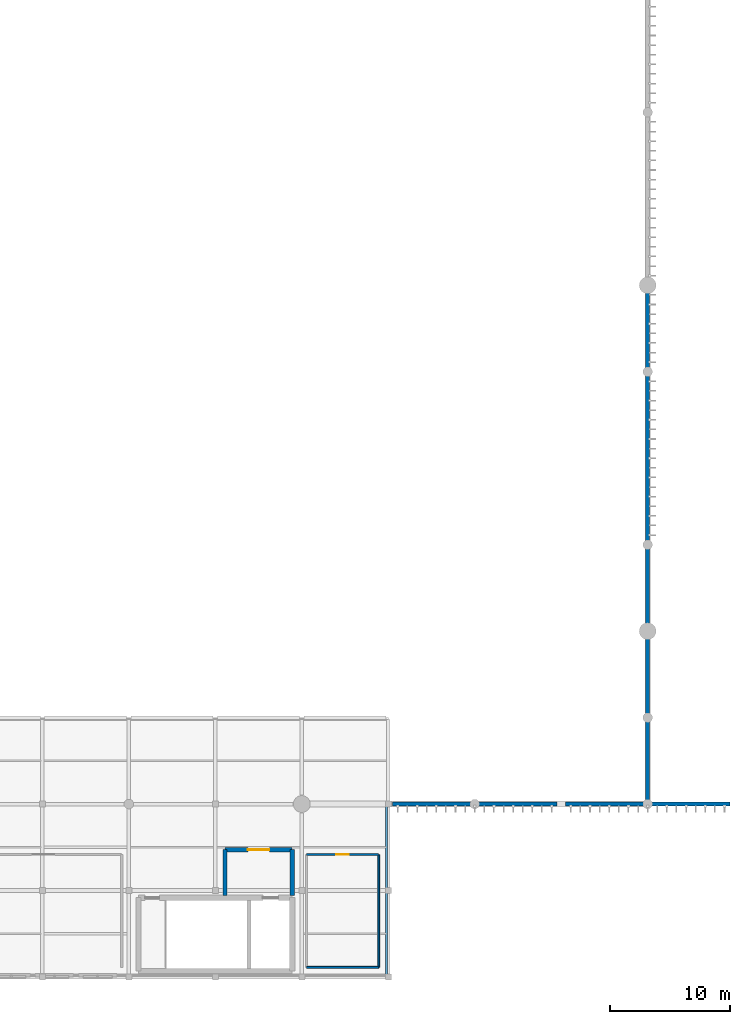
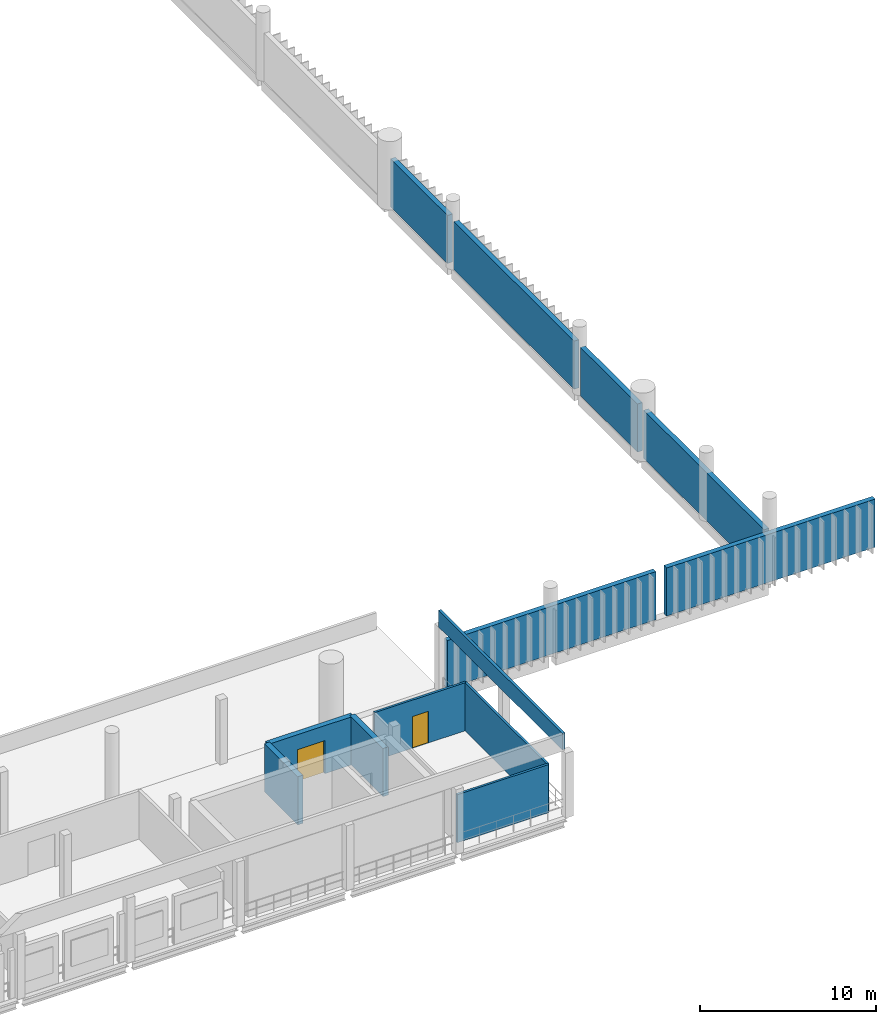
# One storey, part 45 of 64: 13 walls, 2 doors, 2 openings.
"""IFC4 building model written with IfcOpenShell, lengths in metres."""

from ifc_helpers import new_model, si_unit, direction, frame, frame_2d, origin, place, context, subcontext, project, spatial, rectangle, extrude, material, layer, layer_set, type_object, element, fill, save


model = new_model("IFC4")

# Units and contexts
model_context = context("Model", 3, precision=1e-05, world=origin(), true_north=direction((0.0, 1.0)))
body_context = subcontext(model_context, "Body", "Model", "MODEL_VIEW")
ifc_project = project(units=[si_unit("LENGTHUNIT", "METRE"), si_unit("AREAUNIT", "SQUARE_METRE"), si_unit("VOLUMEUNIT", "CUBIC_METRE"), si_unit("PLANEANGLEUNIT", "RADIAN"), si_unit("MASSUNIT", "GRAM", prefix="KILO")], contexts=[model_context])

# Site, building, storey
site_placement = place(None, origin())
site = spatial("IfcSite", under=ifc_project, at=site_placement, CompositionType="ELEMENT")
building_placement = place(site_placement, origin())
building = spatial("IfcBuilding", under=site, at=building_placement, Name="Qandorah Velis Arena", CompositionType="ELEMENT")
storey_placement = place(building_placement, frame((0.0, 0.0, 23.0)))
storey = spatial("IfcBuildingStorey", under=building, at=storey_placement, Name="L05", CompositionType="ELEMENT", Elevation=23.0)

# Walls
ifc_material_1 = material(Name="Precast concrete C40/50", Category="concrete")
ifc_layer_1 = layer(ifc_material_1, 0.320068359375)
ifc_layer_set_1 = layer_set([ifc_layer_1], Name="Precast concrete C40/50")
wall_type_1 = type_object("IfcWallType", Name="ARC-WAL-BOWL320", PredefinedType="SOLIDWALL", material=ifc_layer_set_1)
wall_1_placement = place(storey_placement, frame((115.199951171875, 14.75, 0.0), z_axis=(0.0, 0.0, 1.0), x_axis=(0.0, 1.0, 0.0)))
element("IfcWall", 1, at=wall_1_placement, inside=storey, type_object=wall_type_1, Name="Arena bowl acoustic drum wall 2.1 (L05)", PredefinedType="SOLIDWALL", context=body_context, shape_type="SweptSolid", body=[
    extrude(rectangle(XDim=13.699951171875, YDim=0.320068359375, at=frame_2d((6.85009765625, 0.0))), origin(), (0.0, 0.0, 1.0), 3.340087890625),
])
wall_2_placement = place(storey_placement, frame((115.199951171875, 29.14990234375, 0.0), z_axis=(0.0, 0.0, 1.0), x_axis=(0.0, 1.0, 0.0)))
element("IfcWall", 2, at=wall_2_placement, inside=storey, type_object=wall_type_1, Name="Arena bowl acoustic drum wall 2.2 (L05)", PredefinedType="SOLIDWALL", context=body_context, shape_type="SweptSolid", body=[
    extrude(rectangle(XDim=6.5, YDim=0.320068359375, at=frame_2d((3.25, 0.0))), origin(), (0.0, 0.0, 1.0), 3.340087890625),
])
wall_3_placement = place(storey_placement, frame((115.199951171875, 36.35009765625, 0.0), z_axis=(0.0, 0.0, 1.0), x_axis=(0.0, 1.0, 0.0)))
element("IfcWall", 3, at=wall_3_placement, inside=storey, type_object=wall_type_1, Name="Arena bowl acoustic drum wall 2.3 (L05)", PredefinedType="SOLIDWALL", context=body_context, shape_type="SweptSolid", body=[
    extrude(rectangle(XDim=13.699951171875, YDim=0.320068359375, at=frame_2d((6.85009765625, 0.0))), origin(), (0.0, 0.0, 1.0), 3.340087890625),
])
wall_4_placement = place(storey_placement, frame((115.199951171875, 50.75, 0.0), z_axis=(0.0, 0.0, 1.0), x_axis=(0.0, 1.0, 0.0)))
element("IfcWall", 4, at=wall_4_placement, inside=storey, type_object=wall_type_1, Name="Arena bowl acoustic drum wall 2.4 (L05)", PredefinedType="SOLIDWALL", context=body_context, shape_type="SweptSolid", body=[
    extrude(rectangle(XDim=6.5, YDim=0.320068359375, at=frame_2d((3.25, 0.0))), origin(), (0.0, 0.0, 1.0), 3.340087890625),
])
for number, where, z_axis, x_axis, name in (
    (5, (93.949951171875, 14.39990234375, 0.0), (0.0, 0.0, 1.0), (1.0, 0.0, 0.0), "Arena bowl acoustic drum wall 3.1 (L05)"),
    (6, (108.35009765625, 14.39990234375, 0.0), (0.0, 0.0, 1.0), (1.0, 0.0, 0.0), "Arena bowl acoustic drum wall 3.2 (L05)"),
):
    element("IfcWall", number, at=place(storey_placement, frame(where, z_axis=z_axis, x_axis=x_axis)), inside=storey, type_object=wall_type_1, Name=name, PredefinedType="SOLIDWALL", context=body_context, shape_type="SweptSolid", body=[
        extrude(rectangle(XDim=13.699951171875, YDim=0.320068359375, at=frame_2d((6.85009765625, 0.0))), origin(), (0.0, 0.0, 1.0), 3.340087890625),
    ])
ifc_layer_2 = layer(ifc_material_1, 0.179931640625)
ifc_layer_set_2 = layer_set([ifc_layer_2], Name="Precast concrete C40/50")
wall_type_2 = type_object("IfcWallType", Name="ARC-WAL-PAR180", PredefinedType="PARAPET", material=ifc_layer_set_2)
wall_5_placement = place(storey_placement, frame((93.449951171875, 0.14990234375, 4.5), z_axis=(0.0, 0.0, 1.0), x_axis=(0.0, 1.0, 0.0)))
element("IfcWall", 7, at=wall_5_placement, inside=storey, type_object=wall_type_2, Name="Roof perimeter parapet wall PW-04", PredefinedType="PARAPET", context=body_context, shape_type="SweptSolid", body=[
    extrude(rectangle(XDim=14.10009765625, YDim=0.179931640625, at=frame_2d((7.050048828125, 0.0))), origin(), (0.0, 0.0, 1.0), 1.14990234375),
])
ifc_material_2 = material(Name="Concrete C35/45", Category="concrete")
ifc_layer_3 = layer(ifc_material_2, 0.14990234375)
ifc_layer_set_3 = layer_set([ifc_layer_3], Name="Concrete C35/45")
wall_type_3 = type_object("IfcWallType", Name="ARC-WAL-PART150", PredefinedType="PARTITIONING", material=ifc_layer_set_3)
wall_6_placement = place(storey_placement, frame((86.800048828125, 0.800048828125, 0.0), z_axis=(0.0, 0.0, 1.0), x_axis=(1.0, 0.0, 0.0)))
element("IfcWall", 8, at=wall_6_placement, inside=storey, type_object=wall_type_3, Name="Interior partition L05-L05-AWC (S)", PredefinedType="PARTITIONING", context=body_context, shape_type="SweptSolid", body=[
    extrude(rectangle(XDim=6.0, YDim=0.14990234375, at=frame_2d((3.0, 0.0))), origin(), (0.0, 0.0, 1.0), 3.340087890625),
])
wall_7_placement = place(storey_placement, frame((92.800048828125, 0.800048828125, 0.0), z_axis=(0.0, 0.0, 1.0), x_axis=(0.0, 1.0, 0.0)))
element("IfcWall", 9, at=wall_7_placement, inside=storey, type_object=wall_type_3, Name="Interior partition L05-L05-AWC (E)", PredefinedType="PARTITIONING", context=body_context, shape_type="SweptSolid", body=[
    extrude(rectangle(XDim=9.39990234375, YDim=0.14990234375, at=frame_2d((4.699951171875, 0.0))), origin(), (0.0, 0.0, 1.0), 3.340087890625),
])

# Wall, opening, door
wall_8_placement = place(storey_placement, frame((92.800048828125, 10.199951171875, 0.0), z_axis=(0.0, 0.0, 1.0), x_axis=(-1.0, 0.0, 0.0)))
wall_8 = element("IfcWall", 10, at=wall_8_placement, inside=storey, type_object=wall_type_3, Name="Interior partition L05-L05-AWC (N)", PredefinedType="PARTITIONING", context=body_context, shape_type="SweptSolid", body=[
    extrude(rectangle(XDim=6.0, YDim=0.14990234375, at=frame_2d((3.0, 0.0))), origin(), (0.0, 0.0, 1.0), 3.340087890625),
])
opening_1_placement = place(wall_8_placement, frame((2.47509765625, 0.0, 0.0)))
opening_1 = element("IfcOpeningElement", 11, at=opening_1_placement, cuts=wall_8, Name="Opening D6", PredefinedType="OPENING", context=body_context, shape_type="SweptSolid", body=[
    extrude(rectangle(XDim=1.050048828125, YDim=2.199951171875, at=frame_2d((0.52490234375, 1.10009765625))), frame((0.0, 0.0849609375, 0.0), z_axis=(0.0, -1.0, 0.0), x_axis=(1.0, 0.0, 0.0)), (0.0, 0.0, 1.0), 0.169921875),
])
ifc_material_3 = material(Name="Accessible wide-leaf lever-handle door")
door_type_1 = type_object("IfcDoorType", Name="ARC-DR-ACC1050", OperationType="NOTDEFINED", PredefinedType="DOOR", material=ifc_material_3)
door_1_placement = place(opening_1_placement, origin())
door_1 = element("IfcDoor", 12, at=door_1_placement, inside=storey, type_object=door_type_1, Name="Door L05-L05-AWC", OperationType="SINGLE_SWING_LEFT", OverallHeight=2.199951171875, OverallWidth=1.050048828125, PredefinedType="DOOR", context=body_context, shape_type="SweptSolid", body=[
    extrude(rectangle(XDim=1.050048828125, YDim=2.199951171875, at=frame_2d((0.52490234375, 1.10009765625))), frame((0.0, 0.02490234375, 0.0), z_axis=(0.0, -1.0, 0.0), x_axis=(1.0, 0.0, 0.0)), (0.0, 0.0, 1.0), 0.050048828125),
])
fill(opening_1, door_1)

# Wall
ifc_material_4 = material(Name="Concrete C40/50", Category="concrete")
ifc_layer_4 = layer(ifc_material_4, 0.35009765625)
ifc_layer_set_4 = layer_set([ifc_layer_4], Name="Concrete C40/50")
wall_type_4 = type_object("IfcWallType", Name="STR-WAL-SH350", PredefinedType="SHEAR", material=ifc_layer_set_4)
wall_9_placement = place(storey_placement, frame((85.60009765625, 6.800048828125, 0.0), z_axis=(0.0, 0.0, 1.0), x_axis=(0.0, 1.0, 0.0)))
element("IfcWall", 13, at=wall_9_placement, inside=storey, type_object=wall_type_4, Name="Interior partition FFL-FL2-L05 (E)", PredefinedType="SHEAR", context=body_context, shape_type="SweptSolid", body=[
    extrude(rectangle(XDim=3.800048828125, YDim=0.35009765625, at=frame_2d((1.89990234375, 0.0))), origin(), (0.0, 0.0, 1.0), 3.340087890625),
])

# Wall, opening, door
wall_10_placement = place(storey_placement, frame((85.60009765625, 10.60009765625, 0.0), z_axis=(0.0, 0.0, 1.0), x_axis=(-1.0, 0.0, 0.0)))
wall_10 = element("IfcWall", 14, at=wall_10_placement, inside=storey, type_object=wall_type_4, Name="Interior partition FFL-FL2-L05 (N)", PredefinedType="SHEAR", context=body_context, shape_type="SweptSolid", body=[
    extrude(rectangle(XDim=5.60009765625, YDim=0.35009765625, at=frame_2d((2.800048828125, 0.0))), origin(), (0.0, 0.0, 1.0), 3.340087890625),
])
opening_2_placement = place(wall_10_placement, frame((1.89990234375, 0.0, 0.0)))
opening_2 = element("IfcOpeningElement", 15, at=opening_2_placement, cuts=wall_10, Name="Opening FD1", PredefinedType="OPENING", context=body_context, shape_type="SweptSolid", body=[
    extrude(rectangle(XDim=1.800048828125, YDim=2.300048828125, at=frame_2d((0.89990234375, 1.14990234375))), frame((0.0, 0.18505859375, 0.0), z_axis=(0.0, -1.0, 0.0), x_axis=(1.0, 0.0, 0.0)), (0.0, 0.0, 1.0), 0.3701171875),
])
ifc_material_5 = material(Name="Insulated fire-rated double steel door", Category="steel")
door_type_2 = type_object("IfcDoorType", Name="ARC-DR-FD1800", OperationType="NOTDEFINED", PredefinedType="DOOR", material=ifc_material_5)
door_2_placement = place(opening_2_placement, origin())
door_2 = element("IfcDoor", 16, at=door_2_placement, inside=storey, type_object=door_type_2, Name="Door FFL-FL2-L05", OperationType="DOUBLE_DOOR_SINGLE_SWING", OverallHeight=2.300048828125, OverallWidth=1.800048828125, PredefinedType="DOOR", context=body_context, shape_type="SweptSolid", body=[
    extrude(rectangle(XDim=1.800048828125, YDim=2.300048828125, at=frame_2d((0.89990234375, 1.14990234375))), frame((0.0, 0.02490234375, 0.0), z_axis=(0.0, -1.0, 0.0), x_axis=(1.0, 0.0, 0.0)), (0.0, 0.0, 1.0), 0.050048828125),
])
fill(opening_2, door_2)

# Wall
wall_11_placement = place(storey_placement, frame((80.0, 10.60009765625, 0.0), z_axis=(0.0, 0.0, 1.0), x_axis=(0.0, -1.0, 0.0)))
element("IfcWall", 17, at=wall_11_placement, inside=storey, type_object=wall_type_4, Name="Interior partition FFL-FL2-L05 (W)", PredefinedType="SHEAR", context=body_context, shape_type="SweptSolid", body=[
    extrude(rectangle(XDim=3.800048828125, YDim=0.35009765625, at=frame_2d((1.89990234375, 0.0))), origin(), (0.0, 0.0, 1.0), 3.340087890625),
])

save(model, "model.ifc")
